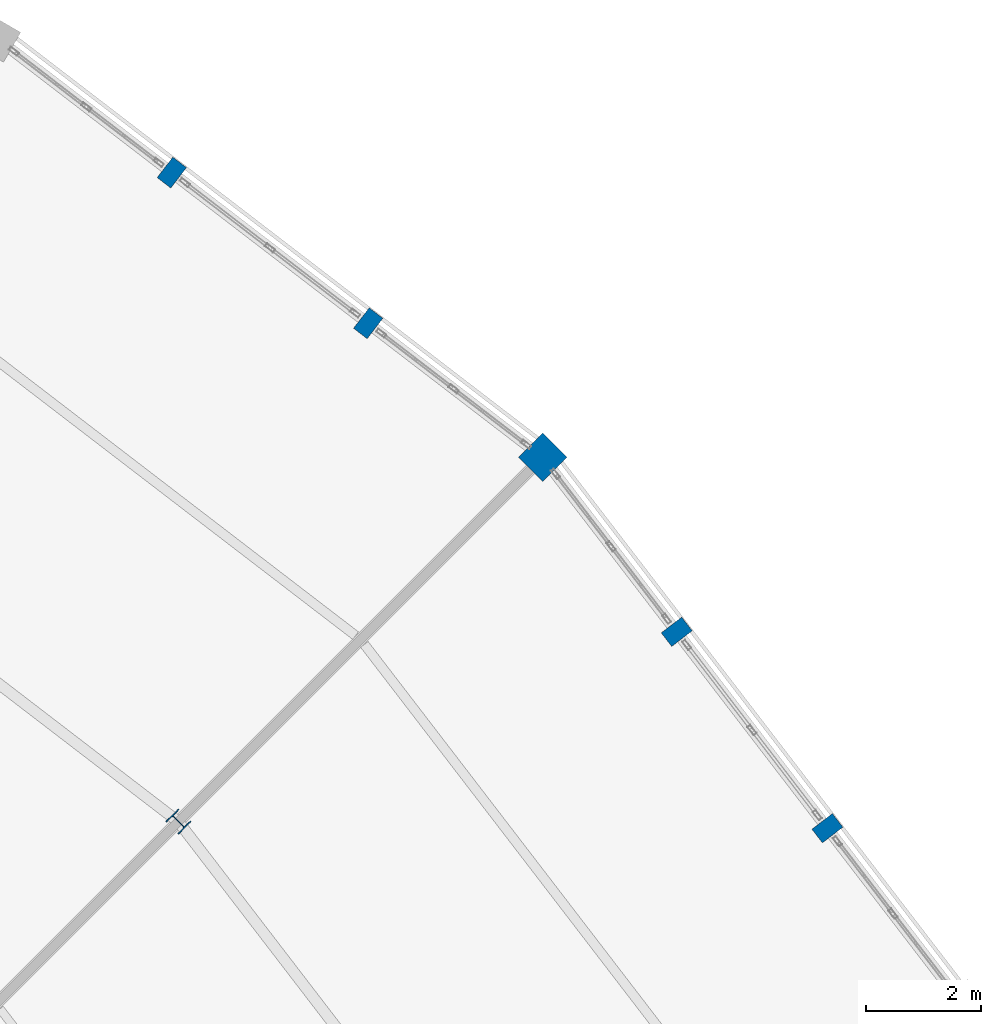
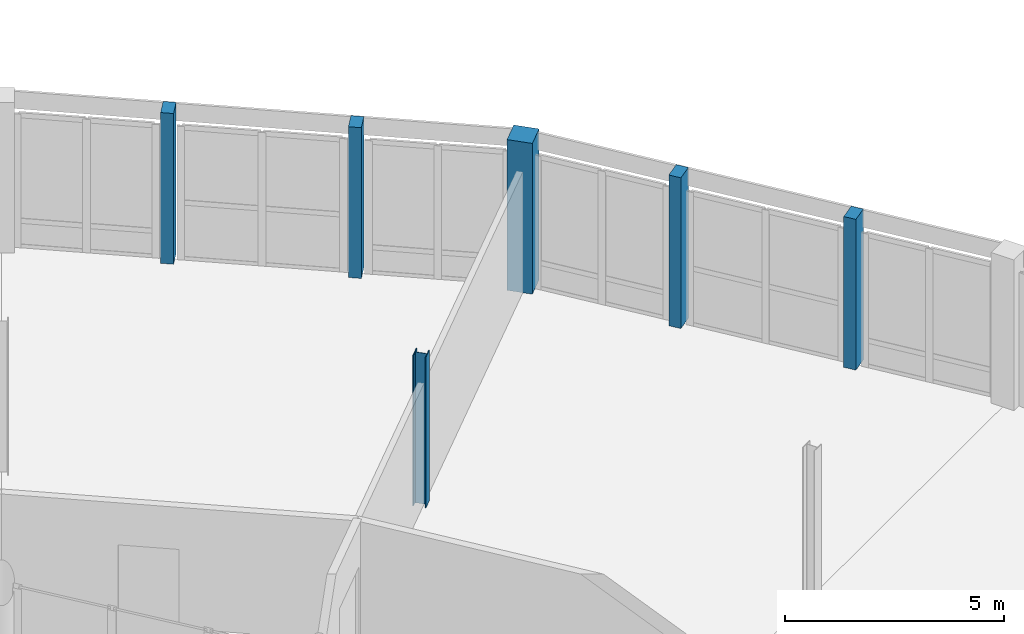
# One storey, part 19 of 170: 6 columns.
"""IFC4 building model written with IfcOpenShell, lengths in metres."""

import ifcopenshell
import ifcopenshell.guid

model = None  # the IFC model being written
_history = None  # IfcOwnerHistory: only IFC2X3 demands one
_inside = {}  # id of a spatial element -> (the spatial element, [elements in it])
_under = {}  # id of a project, library or spatial element -> (it, [spatial elements below it])
_declared = {}  # id of a project -> (the project, [libraries it declares])
_typed = {}  # id of a type object -> (the type object, [elements of that type])
_made_of = {}  # id of a material, layer set ... -> (it, [elements and type objects made of it])


def new_model(schema):
    """Start an empty IFC model of exactly this schema.

    Asked for "IFC4X3", IfcOpenShell would pick the latest addendum, in which some entities
    have other attributes; the version numbers below select the first issue.
    IFC2X3 requires an IfcOwnerHistory on every rooted entity: one is made here for all.
    """
    global model, _history
    if schema == "IFC4X3":
        model = ifcopenshell.file(schema_version=(4, 3, 0, 0))
    else:
        model = ifcopenshell.file(schema=schema)
    _inside.clear()
    _under.clear()
    _declared.clear()
    _typed.clear()
    _made_of.clear()
    _history = None
    if model.schema == "IFC2X3":
        org = make("IfcOrganization", Name="unknown")
        user = make(
            "IfcPersonAndOrganization",
            ThePerson=make("IfcPerson", FamilyName="unknown"),
            TheOrganization=org,
        )
        app = make(
            "IfcApplication",
            ApplicationDeveloper=org,
            Version="unknown",
            ApplicationFullName="unknown",
            ApplicationIdentifier="unknown",
        )
        _history = make(
            "IfcOwnerHistory",
            OwningUser=user,
            OwningApplication=app,
            ChangeAction="ADDED",
            CreationDate=0,
        )
    return model


def make(cls, **values):
    """One entity of the class cls with the attributes given. An attribute that is None is left unset."""
    return model.create_entity(
        cls, **{name: value for name, value in values.items() if value is not None}
    )


def rooted(cls, **values):
    """An entity with a GlobalId (a new one), such as an element, a storey or a relation."""
    return make(cls, GlobalId=ifcopenshell.guid.new(), OwnerHistory=_history, **values)


def si_unit(unit_type, name, prefix=None):
    """IfcSIUnit, for example si_unit("LENGTHUNIT", "METRE", prefix="MILLI")."""
    return make("IfcSIUnit", UnitType=unit_type, Prefix=prefix, Name=name)


def assignment(units):
    """IfcUnitAssignment: the units of a project."""
    return None if units is None else make("IfcUnitAssignment", Units=units)


def point(xyz):
    """IfcCartesianPoint."""
    return None if xyz is None else make("IfcCartesianPoint", Coordinates=xyz)


def direction(xyz):
    """IfcDirection."""
    return None if xyz is None else make("IfcDirection", DirectionRatios=xyz)


def frame(location, z_axis=None, x_axis=None):
    """IfcAxis2Placement3D, a coordinate frame: its origin and axes. An axis left out is left unset."""
    return make(
        "IfcAxis2Placement3D",
        Location=point(location),
        Axis=direction(z_axis),
        RefDirection=direction(x_axis),
    )


def frame_2d(location, x_axis=None):
    """IfcAxis2Placement2D, a coordinate frame in the plane: its origin and x axis."""
    return make(
        "IfcAxis2Placement2D", Location=point(location), RefDirection=direction(x_axis)
    )


def origin():
    """The frame at (0, 0, 0) with its axes left unset."""
    return frame((0.0, 0.0, 0.0))


def origin_2d():
    """The frame at (0, 0) in the plane with its x axis left unset."""
    return frame_2d((0.0, 0.0))


def place(relative_to, where):
    """IfcLocalPlacement: puts the frame where relative to a parent placement (None: the world)."""
    return make(
        "IfcLocalPlacement", PlacementRelTo=relative_to, RelativePlacement=where
    )


def context(
    kind, dimensions, precision=None, world=None, true_north=None, identifier=None
):
    """IfcGeometricRepresentationContext, for example the 3D "Model" context."""
    return make(
        "IfcGeometricRepresentationContext",
        ContextIdentifier=identifier,
        ContextType=kind,
        CoordinateSpaceDimension=dimensions,
        Precision=precision,
        WorldCoordinateSystem=world,
        TrueNorth=true_north,
    )


def subcontext(parent, identifier, kind, view, scale=None):
    """IfcGeometricRepresentationSubContext, for example "Body" below "Model"."""
    return make(
        "IfcGeometricRepresentationSubContext",
        ContextIdentifier=identifier,
        ContextType=kind,
        ParentContext=parent,
        TargetScale=scale,
        TargetView=view,
    )


def project(units=None, contexts=None):
    """IfcProject with its units and contexts."""
    return rooted(
        "IfcProject",
        Name="project",
        RepresentationContexts=contexts,
        UnitsInContext=assignment(units),
    )


def spatial(cls, under=None, at=None, **own):
    """A site, building, storey or space (cls), placed at a placement, below another one or the project."""
    s = rooted(cls, ObjectPlacement=at, **own)
    if under is not None:
        _under.setdefault(under.id(), (under, []))[1].append(s)
    return s


def profile(cls, at=None, kind="AREA", **sizes):
    """A parametric profile (cls). Its sizes go by their IFC names, for example OverallWidth=200.0."""
    return make(cls, ProfileType=kind, Position=at, **sizes)


def rectangle(**sizes):
    """IfcRectangleProfileDef."""
    return profile("IfcRectangleProfileDef", **sizes)


def i_section(**sizes):
    """IfcIShapeProfileDef."""
    return profile("IfcIShapeProfileDef", **sizes)


def extrude(swept, where, along, depth):
    """IfcExtrudedAreaSolid: the profile swept, set in the frame where, extruded along a direction by depth."""
    return make(
        "IfcExtrudedAreaSolid",
        SweptArea=swept,
        Position=where,
        ExtrudedDirection=direction(along),
        Depth=depth,
    )


def shape(context_of_items, identifier, shape_type, items):
    """IfcShapeRepresentation: the items that make up one representation, for example the "Body"."""
    return make(
        "IfcShapeRepresentation",
        ContextOfItems=context_of_items,
        RepresentationIdentifier=identifier,
        RepresentationType=shape_type,
        Items=items,
    )


def material(Name=None, Category=None):
    """IfcMaterial."""
    return make("IfcMaterial", Name=Name, Category=Category)


def material_profile(
    of_material, cross_section, Name=None, Category=None, Priority=None
):
    """IfcMaterialProfile: a cross section and its material."""
    return make(
        "IfcMaterialProfile",
        Name=Name,
        Material=of_material,
        Profile=cross_section,
        Priority=Priority,
        Category=Category,
    )


def profile_set(profiles, Name=None, composite=None):
    """IfcMaterialProfileSet."""
    return make(
        "IfcMaterialProfileSet",
        Name=Name,
        MaterialProfiles=profiles,
        CompositeProfile=composite,
    )


def made_of(thing, what):
    """Note that an element or type object is made of a material, layer set ...; save() writes the relation."""
    if what is not None:
        _made_of.setdefault(what.id(), (what, []))[1].append(thing)
    return thing


def type_object(cls, material=None, **own):
    """A type object (cls), such as IfcWallType, which elements share."""
    return made_of(rooted(cls, **own), material)


def element(
    cls,
    number,
    at=None,
    inside=None,
    cuts=None,
    type_object=None,
    material=None,
    context=None,
    identifier="Body",
    shape_type=None,
    held_by="IfcProductDefinitionShape",
    body=None,
    shapes=None,
    **own,
):
    """One element of the class cls, such as IfcWall. Its Tag is "e" and its number.

    at: its placement. inside: the storey or other place that contains it. cuts: it is an
    opening in that element (IfcRelVoidsElement). A single representation is given by context,
    identifier, shape_type and body (its items); several are given by shapes. held_by: the class
    of the entity that holds the representations. save() writes the other relations.
    """
    e = rooted(cls, Tag="e%d" % number, ObjectPlacement=at, **own)
    if body is not None:
        shapes = [shape(context, identifier, shape_type, body)]
    if shapes is not None:
        e.Representation = make(held_by, Representations=shapes)
    if inside is not None:
        _inside.setdefault(inside.id(), (inside, []))[1].append(e)
    if cuts is not None:
        rooted(
            "IfcRelVoidsElement", RelatingBuildingElement=cuts, RelatedOpeningElement=e
        )
    if type_object is not None:
        _typed.setdefault(type_object.id(), (type_object, []))[1].append(e)
    return made_of(e, material)


def aggregate(whole, parts):
    """IfcRelAggregates: a whole, such as a stair, and the parts it consists of."""
    return rooted("IfcRelAggregates", RelatingObject=whole, RelatedObjects=parts)


def save(model, path):
    """Write the relations noted so far, then the file.

    IfcRelAggregates (storeys below a building ...), IfcRelContainedInSpatialStructure (elements
    in a storey), IfcRelDefinesByType, IfcRelAssociatesMaterial and IfcRelDeclares: one each for
    every whole, place, type object, material and project.
    """
    for whole, parts in _under.values():
        aggregate(whole, parts)
    for where, things in _inside.values():
        rooted(
            "IfcRelContainedInSpatialStructure",
            RelatedElements=things,
            RelatingStructure=where,
        )
    for kind, things in _typed.values():
        rooted("IfcRelDefinesByType", RelatedObjects=things, RelatingType=kind)
    for what, things in _made_of.values():
        rooted("IfcRelAssociatesMaterial", RelatedObjects=things, RelatingMaterial=what)
    for by, libraries in _declared.values():
        rooted("IfcRelDeclares", RelatingContext=by, RelatedDefinitions=libraries)
    model.write(path)


model = new_model("IFC4")

# Units and contexts
model_context = context("Model", 3, precision=1e-05, world=origin(), true_north=direction((0.0, 1.0)))
body_context = subcontext(model_context, "Body", "Model", "MODEL_VIEW")
ifc_project = project(units=[si_unit("LENGTHUNIT", "METRE"), si_unit("AREAUNIT", "SQUARE_METRE"), si_unit("VOLUMEUNIT", "CUBIC_METRE"), si_unit("PLANEANGLEUNIT", "RADIAN"), si_unit("MASSUNIT", "GRAM", prefix="KILO")], contexts=[model_context])

# Site, building, storey
site_placement = place(None, origin())
site = spatial("IfcSite", under=ifc_project, at=site_placement, CompositionType="ELEMENT")
building_placement = place(site_placement, origin())
building = spatial("IfcBuilding", under=site, at=building_placement, Name="Vondelvale Polytechnic", CompositionType="ELEMENT")
storey_placement = place(building_placement, frame((0.0, 0.0, 5.39990234375)))
storey = spatial("IfcBuildingStorey", under=building, at=storey_placement, Name="L01", CompositionType="ELEMENT", Elevation=5.39990234375)

# Columns
ifc_material_1 = material(Name="Glulam GL18 structural Tasmanian oak (fb = 42 MPa)", Category="wood")
ifc_material_profile_1 = material_profile(ifc_material_1, rectangle(XDim=0.300048828125, YDim=0.449951171875, at=origin_2d()), Name="GL-POST-300x450")
ifc_profile_set_1 = profile_set([ifc_material_profile_1], Name="Glulam GL18 structural Tasmanian oak (fb = 42 MPa)")
column_type_1 = type_object("IfcColumnType", Name="COL-GLULAM-300x450", PredefinedType="PILASTER", material=ifc_profile_set_1)
for number, where, z_axis, x_axis, name in (
    (1, (139.497802734375, 98.048583984375, 0.0), (0.0, 0.0, 1.0), (-0.608761429009, 0.793353340291, 0.0), "L01 ring outer glulam timber post C02-P1"),
    (2, (136.8662109375, 101.478271484375, 0.0), (0.0, 0.0, 1.0), (-0.608761429009, 0.793353340291, 0.0), "L01 ring outer glulam timber post C02-P2"),
    (3, (131.478271484375, 106.8662109375, 0.0), (0.0, 0.0, 1.0), (-0.793353340291, 0.608761429009, 0.0), "L01 ring outer glulam timber post C03-P1"),
    (4, (128.048583984375, 109.497802734375, 0.0), (0.0, 0.0, 1.0), (-0.793353340291, 0.608761429009, 0.0), "L01 ring outer glulam timber post C03-P2"),
):
    element("IfcColumn", number, at=place(storey_placement, frame(where, z_axis=z_axis, x_axis=x_axis)), inside=storey, type_object=column_type_1, Name=name, PredefinedType="PILASTER", context=body_context, shape_type="SweptSolid", body=[
        extrude(rectangle(XDim=0.300048828125, YDim=0.449951171875, at=origin_2d()), origin(), (0.0, 0.0, 1.0), 4.2001953125),
    ])
ifc_material_2 = material(Name="Concrete N50 (f'c = 50 MPa)", Category="concrete")
ifc_material_profile_2 = material_profile(ifc_material_2, rectangle(XDim=0.60009765625, YDim=0.60009765625, at=origin_2d()), Name="RC-COL-600x600")
ifc_profile_set_2 = profile_set([ifc_material_profile_2], Name="Concrete N50 (f'c = 50 MPa)")
column_type_2 = type_object("IfcColumnType", Name="COL-RC600", PredefinedType="COLUMN", material=ifc_profile_set_2)
column_1_placement = place(storey_placement, frame((134.52685546875, 104.52685546875, 0.0), z_axis=(0.0, 0.0, 1.0), x_axis=(0.707106781187, 0.707106781187, 0.0)))
element("IfcColumn", 5, at=column_1_placement, inside=storey, type_object=column_type_2, Name="L01 courtyard ring column S03-RO", PredefinedType="COLUMN", context=body_context, shape_type="SweptSolid", body=[
    extrude(rectangle(XDim=0.60009765625, YDim=0.60009765625, at=origin_2d()), origin(), (0.0, 0.0, 1.0), 4.2001953125),
])
ifc_material_3 = material(Name="Steel 300PLUS (fy = 300 MPa)", Category="steel")
ifc_material_profile_3 = material_profile(ifc_material_3, i_section(OverallWidth=0.306884765625, OverallDepth=0.31494140625, WebThickness=0.011962890625, FlangeThickness=0.018798828125, FilletRadius=0.0166015625, at=origin_2d()), Name="310UC118")
ifc_profile_set_3 = profile_set([ifc_material_profile_3], Name="Steel 300PLUS (fy = 300 MPa)")
column_type_3 = type_object("IfcColumnType", Name="COL-UC310", PredefinedType="COLUMN", material=ifc_profile_set_3)
column_2_placement = place(storey_placement, frame((128.1630859375, 98.1630859375, 0.0), z_axis=(0.0, 0.0, 1.0), x_axis=(0.707106781187, 0.707106781187, 0.0)))
element("IfcColumn", 6, at=column_2_placement, inside=storey, type_object=column_type_3, Name="L01 courtyard ring column S03-RM", PredefinedType="COLUMN", context=body_context, shape_type="SweptSolid", body=[
    extrude(i_section(OverallWidth=0.306884765625, OverallDepth=0.31494140625, WebThickness=0.011962890625, FlangeThickness=0.018798828125, FilletRadius=0.0166015625, at=origin_2d()), origin(), (0.0, 0.0, 1.0), 4.2001953125),
])

save(model, "model.ifc")
